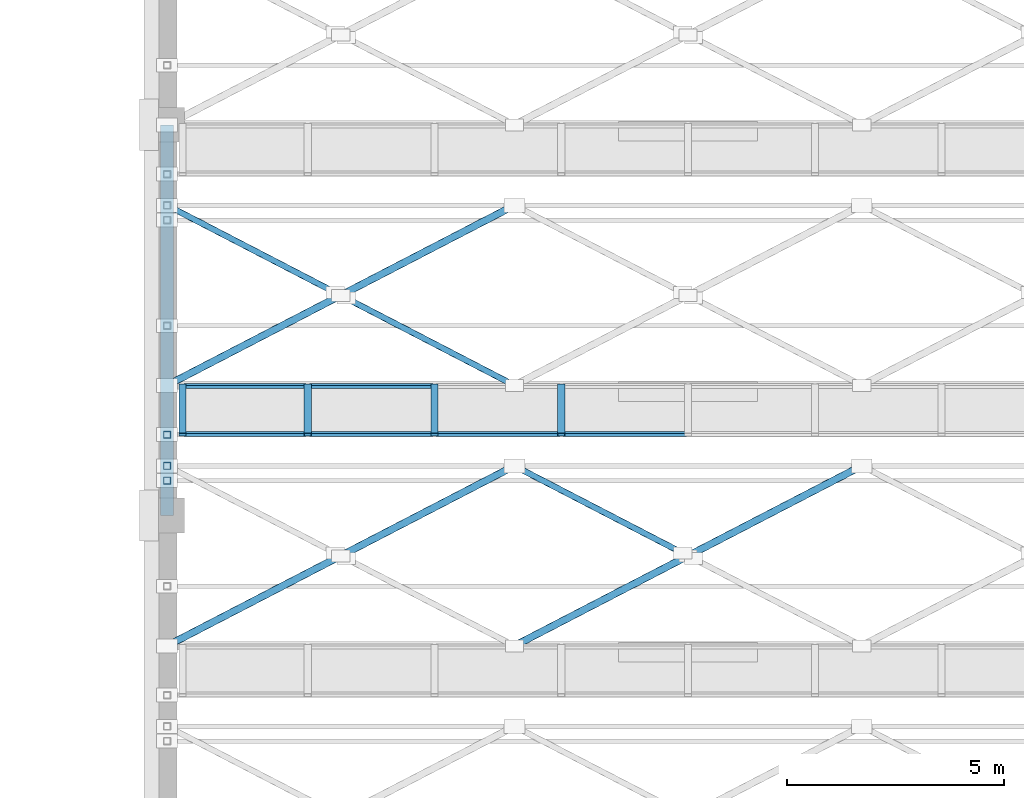
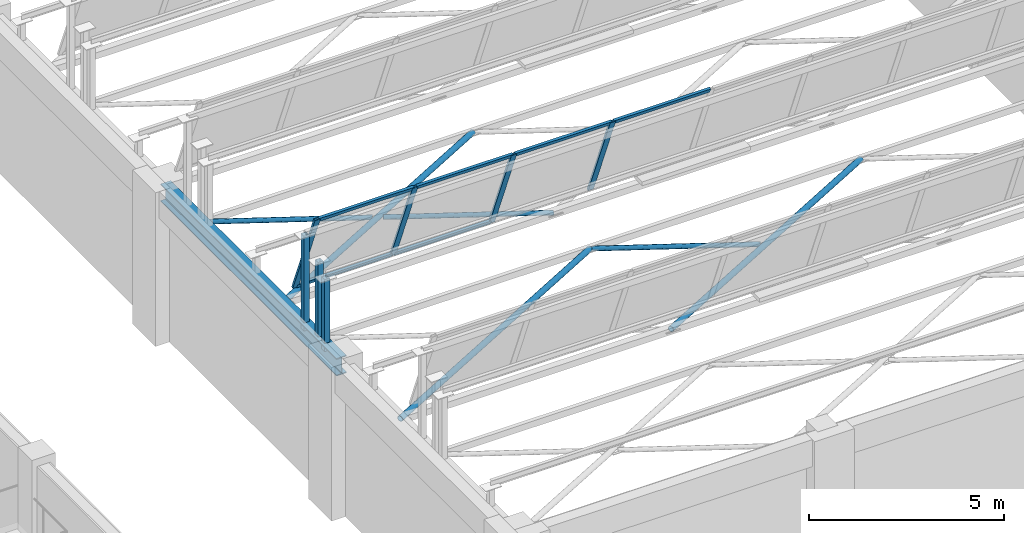
# One storey, part 52 of 98: 19 members, 1 beam, 1 element without a shape of its own.
"""IFC4 building model written with IfcOpenShell, lengths in metres."""

from ifc_helpers import new_model, si_unit, direction, frame, origin, origin_2d, place, context, subcontext, project, spatial, hollow_rectangle, hollow_circle, i_section, extrude, material, material_profile, profile_set, type_object, element, aggregate, save


model = new_model("IFC4")

# Units and contexts
model_context = context("Model", 3, precision=1e-05, world=origin(), true_north=direction((0.0, 1.0)))
body_context = subcontext(model_context, "Body", "Model", "MODEL_VIEW")
ifc_project = project(units=[si_unit("LENGTHUNIT", "METRE"), si_unit("AREAUNIT", "SQUARE_METRE"), si_unit("VOLUMEUNIT", "CUBIC_METRE"), si_unit("PLANEANGLEUNIT", "RADIAN"), si_unit("MASSUNIT", "GRAM", prefix="KILO")], contexts=[model_context])

# Site, building, storey
site_placement = place(None, origin())
site = spatial("IfcSite", under=ifc_project, at=site_placement, CompositionType="ELEMENT")
building_placement = place(site_placement, origin())
building = spatial("IfcBuilding", under=site, at=building_placement, Name="Lykobir Media Centre", CompositionType="ELEMENT")
storey_placement = place(building_placement, frame((0.0, 0.0, 10.199951171875)))
storey = spatial("IfcBuildingStorey", under=building, at=storey_placement, Name="L02", CompositionType="ELEMENT", Elevation=10.199951171875)

# Beam
ifc_material_1 = material(Name="Steel S355", Category="steel")
ifc_material_profile_1 = material_profile(ifc_material_1, i_section(OverallWidth=0.300048828125, OverallDepth=0.550048828125, WebThickness=0.014892578125, FlangeThickness=0.029052734375, at=origin_2d()), Name="HEB 550")
ifc_profile_set_1 = profile_set([ifc_material_profile_1], Name="Steel S355")
beam_type = type_object("IfcBeamType", Name="BM-HEB550", PredefinedType="BEAM", material=ifc_profile_set_1)
beam_placement = place(storey_placement, frame((144.0, 81.0, 4.275146484375), z_axis=(0.0, 1.0, 0.0), x_axis=(-1.0, 0.0, 0.0)))
element("IfcBeam", 1, at=beam_placement, inside=storey, type_object=beam_type, Name="Beam BM-L02-1440-0810-1440-0900-1448", PredefinedType="BEAM", context=body_context, shape_type="SweptSolid", body=[
    extrude(i_section(OverallWidth=0.300048828125, OverallDepth=0.550048828125, WebThickness=0.014892578125, FlangeThickness=0.029052734375, at=origin_2d()), origin(), (0.0, 0.0, 1.0), 9.0),
])

# Members
ifc_material_profile_2 = material_profile(ifc_material_1, hollow_circle(Radius=0.06982421875, WallThickness=0.008056640625, at=origin_2d()), Name="CHS 139.7x8.0")
ifc_profile_set_2 = profile_set([ifc_material_profile_2], Name="Steel S355")
member_type_1 = type_object("IfcMemberType", Name="BR-CHS140", PredefinedType="BRACE", material=ifc_profile_set_2)
member_1_placement = place(storey_placement, frame((155.875732421875, 80.136962890625, 4.43994140625), z_axis=(-0.88790262671, 0.460031439666, 0.0), x_axis=(-0.460031439666, -0.88790262671, 0.0)))
element("IfcMember", 2, at=member_1_placement, inside=storey, type_object=member_type_1, Name="Diagonal brace MEM2-L02-1559-0801-0146-1520-0821-0313", PredefinedType="BRACE", context=body_context, shape_type="SweptSolid", body=[
    extrude(hollow_circle(Radius=0.06982421875, WallThickness=0.008056640625, at=origin_2d()), origin(), (0.0, 0.0, 1.0), 4.364990234375),
])
member_2_placement = place(storey_placement, frame((152.0, 84.0, 4.43994140625), z_axis=(-0.887879780504, 0.460075532247, 0.0), x_axis=(-0.460075532247, -0.887879780504, 0.0)))
element("IfcMember", 3, at=member_2_placement, inside=storey, type_object=member_type_1, Name="Diagonal brace MEM2-L02-1520-0840-0146-1481-0860-0329", PredefinedType="BRACE", context=body_context, shape_type="SweptSolid", body=[
    extrude(hollow_circle(Radius=0.06982421875, WallThickness=0.008056640625, at=origin_2d()), origin(), (0.0, 0.0, 1.0), 4.365234375),
])
member_3_placement = place(storey_placement, frame((147.875732421875, 86.136962890625, 4.43994140625), z_axis=(-0.88790262671, 0.460031439666, 0.0), x_axis=(-0.460031439666, -0.88790262671, 0.0)))
element("IfcMember", 4, at=member_3_placement, inside=storey, type_object=member_type_1, Name="Diagonal brace MEM2-L02-1479-0861-0146-1440-0881-0330", PredefinedType="BRACE", context=body_context, shape_type="SweptSolid", body=[
    extrude(hollow_circle(Radius=0.06982421875, WallThickness=0.008056640625, at=origin_2d()), origin(), (0.0, 0.0, 1.0), 4.364990234375),
])
ifc_material_profile_3 = material_profile(ifc_material_1, hollow_circle(Radius=0.084228515625, WallThickness=0.010009765625, at=origin_2d()), Name="CHS 168.3x10.0")
ifc_profile_set_3 = profile_set([ifc_material_profile_3], Name="Steel S355")
member_type_2 = type_object("IfcMemberType", Name="BR-CHS168", PredefinedType="BRACE", material=ifc_profile_set_3)
for number, where, z_axis, x_axis, name in (
    (5, (144.0, 78.0, 4.43994140625), (0.887896386773, 0.460043483113, 0.0), (-0.460043483113, 0.887896386773, 0.0), "Diagonal brace MEM2-L02-1440-0780-0146-1520-0821-0308"),
    (6, (152.0, 78.0, 4.43994140625), (0.887896386773, 0.460043483113, 0.0), (-0.460043483113, 0.887896386773, 0.0), "Diagonal brace MEM2-L02-1520-0780-0146-1600-0821-0311"),
    (7, (144.0, 84.0, 4.43994140625), (0.887896386773, 0.460043483113, 0.0), (-0.460043483113, 0.887896386773, 0.0), "Diagonal brace MEM2-L02-1440-0840-0146-1520-0881-0328"),
):
    element("IfcMember", number, at=place(storey_placement, frame(where, z_axis=z_axis, x_axis=x_axis)), inside=storey, type_object=member_type_2, Name=name, PredefinedType="BRACE", context=body_context, shape_type="SweptSolid", body=[
        extrude(hollow_circle(Radius=0.084228515625, WallThickness=0.010009765625, at=origin_2d()), origin(), (0.0, 0.0, 1.0), 9.010009765625),
    ])
ifc_material_profile_4 = material_profile(ifc_material_1, hollow_rectangle(XDim=0.159912109375, YDim=0.159912109375, WallThickness=0.008056640625, at=origin_2d()), Name="SHS 160x160x8")
ifc_profile_set_4 = profile_set([ifc_material_profile_4], Name="Steel S355")
member_type_3 = type_object("IfcMemberType", Name="BR-SHS160", PredefinedType="BRACE", material=ifc_profile_set_4)
member_4_placement = place(storey_placement, frame((144.0, 82.864990234375, 4.300048828125), z_axis=(0.0, 0.0, 1.0), x_axis=(1.0, 0.0, 0.0)))
element("IfcMember", 8, at=member_4_placement, inside=storey, type_object=member_type_3, Name="Diagonal brace MEM2-L02-1440-0829-0145-1440-0829-0302", PredefinedType="BRACE", context=body_context, shape_type="SweptSolid", body=[
    extrude(hollow_rectangle(XDim=0.159912109375, YDim=0.159912109375, WallThickness=0.008056640625, at=origin_2d()), origin(), (0.0, 0.0, 1.0), 2.958984375),
])
member_5_placement = place(storey_placement, frame((144.0, 82.14501953125, 4.43994140625), z_axis=(0.0, 0.0, 1.0), x_axis=(1.0, 0.0, 0.0)))
element("IfcMember", 9, at=member_5_placement, inside=storey, type_object=member_type_3, Name="Diagonal brace MEM2-L02-1440-0821-0146-1440-0821-0304", PredefinedType="BRACE", context=body_context, shape_type="SweptSolid", body=[
    extrude(hollow_rectangle(XDim=0.159912109375, YDim=0.159912109375, WallThickness=0.008056640625, at=origin_2d()), origin(), (0.0, 0.0, 1.0), 2.433349609375),
])
member_6_placement = place(storey_placement, frame((144.0, 81.805908203125, 4.300048828125), z_axis=(0.0, 0.0, 1.0), x_axis=(1.0, 0.0, 0.0)))
element("IfcMember", 10, at=member_6_placement, inside=storey, type_object=member_type_3, Name="Diagonal brace MEM2-L02-1440-0818-0145-1440-0818-0319", PredefinedType="BRACE", context=body_context, shape_type="SweptSolid", body=[
    extrude(hollow_rectangle(XDim=0.159912109375, YDim=0.159912109375, WallThickness=0.008056640625, at=origin_2d()), origin(), (0.0, 0.0, 1.0), 2.24462890625),
])

# Curtain wall, members
ifc_material_2 = material(Name="Anodized Aluminium AW-6060", Category="aluminium")
curtain_wall_type = type_object("IfcCurtainWallType", Name="CW-NL-V2", PredefinedType="NOTDEFINED", material=ifc_material_2)
curtain_wall_placement = place(storey_placement, origin())
curtain_wall = element("IfcCurtainWall", 11, at=curtain_wall_placement, inside=storey, type_object=curtain_wall_type, Name="Curtain wall CW-NL-V2-02", PredefinedType="NOTDEFINED")
ifc_material_profile_5 = material_profile(ifc_material_2, hollow_rectangle(XDim=0.070068359375, YDim=0.1650390625, WallThickness=0.00390625, at=origin_2d()), Name="ALU MULLION 70x165")
ifc_profile_set_5 = profile_set([ifc_material_profile_5], Name="Anodized Aluminium AW-6060")
member_type_4 = type_object("IfcMemberType", Name="CWM-165", PredefinedType="MULLION", material=ifc_profile_set_5)
member_7_placement = place(storey_placement, frame((144.35498046875, 84.0, 4.800048828125), z_axis=(0.0, -0.374653582974, 0.927164868168), x_axis=(0.0, 0.927164868168, 0.374653582974)))
member_7 = element("IfcMember", 12, at=member_7_placement, type_object=member_type_4, Name="CW-NL-V2-02 mullion 1", PredefinedType="MULLION", context=body_context, shape_type="SweptSolid", body=[
    extrude(hollow_rectangle(XDim=0.070068359375, YDim=0.1650390625, WallThickness=0.00390625, at=origin_2d()), origin(), (0.0, 0.0, 1.0), 3.029541015625),
])
member_8_placement = place(storey_placement, frame((147.239990234375, 84.0, 4.800048828125), z_axis=(0.0, -0.374653582974, 0.927164868168), x_axis=(0.0, 0.927164868168, 0.374653582974)))
member_8 = element("IfcMember", 13, at=member_8_placement, type_object=member_type_4, Name="CW-NL-V2-02 mullion 2", PredefinedType="MULLION", context=body_context, shape_type="SweptSolid", body=[
    extrude(hollow_rectangle(XDim=0.070068359375, YDim=0.1650390625, WallThickness=0.00390625, at=origin_2d()), origin(), (0.0, 0.0, 1.0), 3.029541015625),
])
member_9_placement = place(storey_placement, frame((150.159912109375, 84.0, 4.800048828125), z_axis=(0.0, -0.374653582974, 0.927164868168), x_axis=(0.0, 0.927164868168, 0.374653582974)))
member_9 = element("IfcMember", 14, at=member_9_placement, type_object=member_type_4, Name="CW-NL-V2-02 mullion 3", PredefinedType="MULLION", context=body_context, shape_type="SweptSolid", body=[
    extrude(hollow_rectangle(XDim=0.070068359375, YDim=0.1650390625, WallThickness=0.00390625, at=origin_2d()), origin(), (0.0, 0.0, 1.0), 3.029541015625),
])
member_10_placement = place(storey_placement, frame((153.080078125, 84.0, 4.800048828125), z_axis=(0.0, -0.374653582974, 0.927164868168), x_axis=(0.0, 0.927164868168, 0.374653582974)))
member_10 = element("IfcMember", 15, at=member_10_placement, type_object=member_type_4, Name="CW-NL-V2-02 mullion 4", PredefinedType="MULLION", context=body_context, shape_type="SweptSolid", body=[
    extrude(hollow_rectangle(XDim=0.070068359375, YDim=0.1650390625, WallThickness=0.00390625, at=origin_2d()), origin(), (0.0, 0.0, 1.0), 3.029541015625),
])
ifc_material_profile_6 = material_profile(ifc_material_2, hollow_rectangle(XDim=0.070068359375, YDim=0.135009765625, WallThickness=0.00341796875, at=origin_2d()), Name="ALU TRANSOM 70x135")
ifc_profile_set_6 = profile_set([ifc_material_profile_6], Name="Anodized Aluminium AW-6060")
member_type_5 = type_object("IfcMemberType", Name="CWT-135", PredefinedType="USERDEFINED", material=ifc_profile_set_6)
member_11_placement = place(storey_placement, frame((144.389892578125, 83.98681640625, 4.83251953125), z_axis=(1.0, 0.0, 0.0), x_axis=(0.0, 0.927183854567, 0.374606593416)))
member_11 = element("IfcMember", 16, at=member_11_placement, type_object=member_type_5, Name="CW-NL-V2-02 transom 1.1", ObjectType="TRANSOM", PredefinedType="USERDEFINED", context=body_context, shape_type="SweptSolid", body=[
    extrude(hollow_rectangle(XDim=0.070068359375, YDim=0.135009765625, WallThickness=0.00341796875, at=origin_2d()), origin(), (0.0, 0.0, 1.0), 2.815185546875),
])
member_12_placement = place(storey_placement, frame((144.389892578125, 82.878173828125, 7.57666015625), z_axis=(1.0, 0.0, 0.0), x_axis=(0.0, 0.927183854567, 0.374606593416)))
member_12 = element("IfcMember", 17, at=member_12_placement, type_object=member_type_5, Name="CW-NL-V2-02 transom 1.2", ObjectType="TRANSOM", PredefinedType="USERDEFINED", context=body_context, shape_type="SweptSolid", body=[
    extrude(hollow_rectangle(XDim=0.070068359375, YDim=0.135009765625, WallThickness=0.00341796875, at=origin_2d()), origin(), (0.0, 0.0, 1.0), 2.815185546875),
])
member_13_placement = place(storey_placement, frame((147.27490234375, 83.98681640625, 4.83251953125), z_axis=(1.0, 0.0, 0.0), x_axis=(0.0, 0.927183854567, 0.374606593416)))
member_13 = element("IfcMember", 18, at=member_13_placement, type_object=member_type_5, Name="CW-NL-V2-02 transom 2.1", ObjectType="TRANSOM", PredefinedType="USERDEFINED", context=body_context, shape_type="SweptSolid", body=[
    extrude(hollow_rectangle(XDim=0.070068359375, YDim=0.135009765625, WallThickness=0.00341796875, at=origin_2d()), origin(), (0.0, 0.0, 1.0), 2.85009765625),
])
member_14_placement = place(storey_placement, frame((147.27490234375, 82.878173828125, 7.57666015625), z_axis=(1.0, 0.0, 0.0), x_axis=(0.0, 0.927183854567, 0.374606593416)))
member_14 = element("IfcMember", 19, at=member_14_placement, type_object=member_type_5, Name="CW-NL-V2-02 transom 2.2", ObjectType="TRANSOM", PredefinedType="USERDEFINED", context=body_context, shape_type="SweptSolid", body=[
    extrude(hollow_rectangle(XDim=0.070068359375, YDim=0.135009765625, WallThickness=0.00341796875, at=origin_2d()), origin(), (0.0, 0.0, 1.0), 2.85009765625),
])
member_15_placement = place(storey_placement, frame((150.195068359375, 82.878173828125, 7.57666015625), z_axis=(1.0, 0.0, 0.0), x_axis=(0.0, 0.927183854567, 0.374606593416)))
member_15 = element("IfcMember", 20, at=member_15_placement, type_object=member_type_5, Name="CW-NL-V2-02 transom 3.2", ObjectType="TRANSOM", PredefinedType="USERDEFINED", context=body_context, shape_type="SweptSolid", body=[
    extrude(hollow_rectangle(XDim=0.070068359375, YDim=0.135009765625, WallThickness=0.00341796875, at=origin_2d()), origin(), (0.0, 0.0, 1.0), 2.849853515625),
])
member_16_placement = place(storey_placement, frame((153.114990234375, 82.878173828125, 7.57666015625), z_axis=(1.0, 0.0, 0.0), x_axis=(0.0, 0.927183854567, 0.374606593416)))
member_16 = element("IfcMember", 21, at=member_16_placement, type_object=member_type_5, Name="CW-NL-V2-02 transom 4.2", ObjectType="TRANSOM", PredefinedType="USERDEFINED", context=body_context, shape_type="SweptSolid", body=[
    extrude(hollow_rectangle(XDim=0.070068359375, YDim=0.135009765625, WallThickness=0.00341796875, at=origin_2d()), origin(), (0.0, 0.0, 1.0), 2.85009765625),
])
aggregate(curtain_wall, [member_7, member_8, member_9, member_10, member_11, member_12, member_13, member_14, member_15, member_16])

save(model, "model.ifc")
